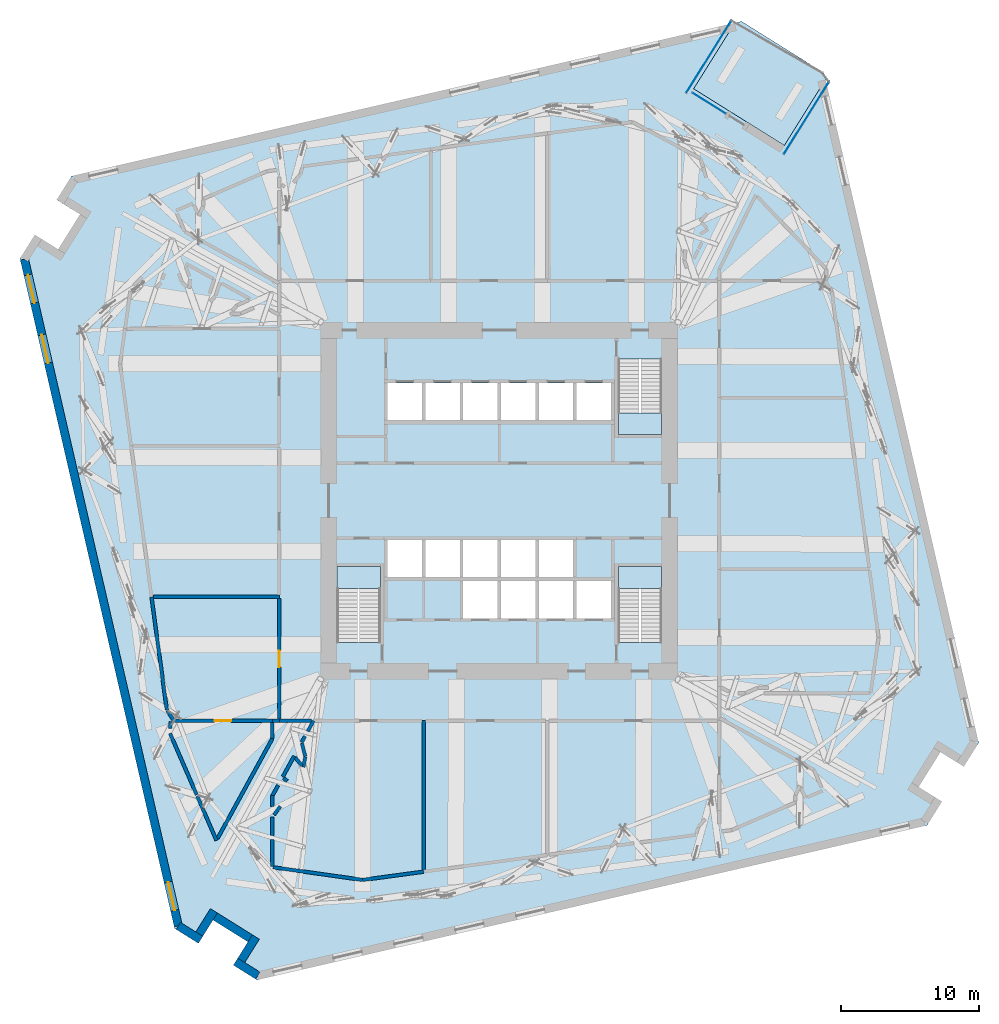
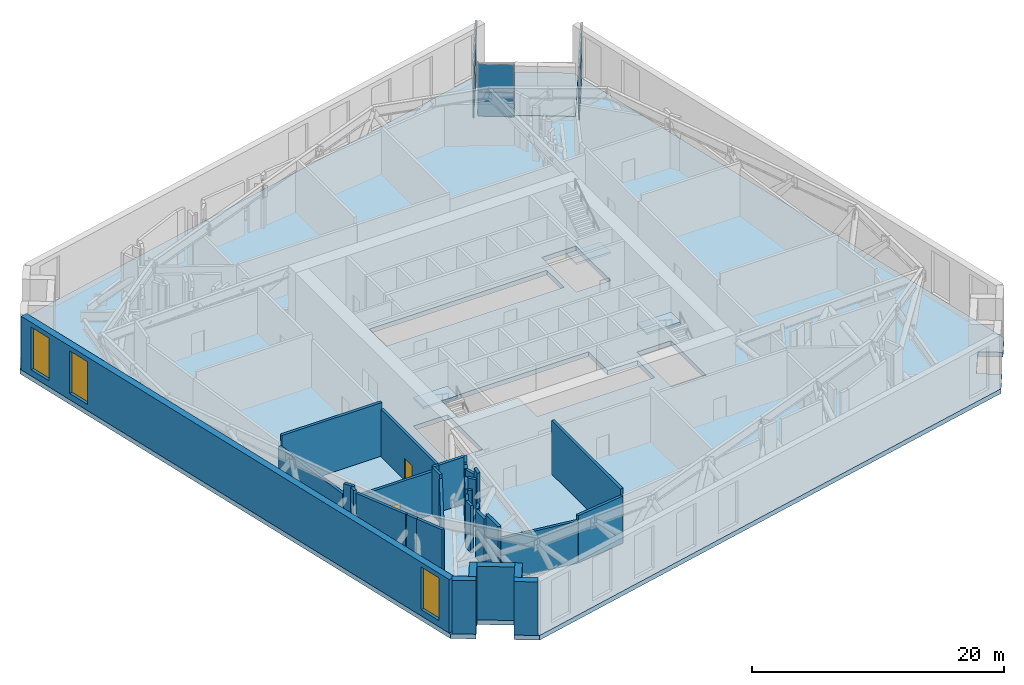
# One storey, part 7 of 17: 34 walls, 6 plates, 5 slabs, 3 windows, 2 doors, 5 openings, 6 elements without a shape of their own.
"""IFC4 building model written with IfcOpenShell, lengths in metres."""

from ifc_helpers import new_model, si_unit, direction, frame, frame_2d, origin, origin_2d, place, context, subcontext, project, spatial, polyline, rectangle, outline, extrude, material, layer, layer_set, type_object, element, fill, aggregate, save


model = new_model("IFC4")

# Units and contexts
model_context = context("Model", 3, precision=1e-05, world=origin(), true_north=direction((0.0, 1.0)))
body_context = subcontext(model_context, "Body", "Model", "MODEL_VIEW")
ifc_project = project(units=[si_unit("LENGTHUNIT", "METRE"), si_unit("AREAUNIT", "SQUARE_METRE"), si_unit("VOLUMEUNIT", "CUBIC_METRE"), si_unit("PLANEANGLEUNIT", "RADIAN"), si_unit("MASSUNIT", "GRAM", prefix="KILO")], contexts=[model_context])

# Site, building, storey
site_placement = place(None, origin())
site = spatial("IfcSite", under=ifc_project, at=site_placement, CompositionType="ELEMENT")
building_placement = place(site_placement, origin())
building = spatial("IfcBuilding", under=site, at=building_placement, Name="Dilmun Exchange Tower", CompositionType="ELEMENT")
storey_placement = place(building_placement, frame((0.0, 0.0, 76.5)))
storey = spatial("IfcBuildingStorey", under=building, at=storey_placement, Name="L17", CompositionType="ELEMENT", Elevation=76.5)

# Stair, slab
ifc_material_1 = material(Name="Concrete C40/50", Category="concrete")
stair_type = type_object("IfcStairType", Name="Exit stair 1500 half-turn", PredefinedType="HALF_TURN_STAIR", material=ifc_material_1)
stair_1_placement = place(storey_placement, origin())
stair_1 = element("IfcStair", 1, at=stair_1_placement, inside=storey, type_object=stair_type, Name="L17 Protected exit stair ST1", PredefinedType="HALF_TURN_STAIR")
ifc_layer_1 = layer(ifc_material_1, 0.199951171875)
ifc_layer_set_1 = layer_set([ifc_layer_1], Name="Concrete C40/50")
slab_type_1 = type_object("IfcSlabType", Name="Exit stair landing 200", PredefinedType="LANDING", material=ifc_layer_set_1)
slab_1_placement = place(storey_placement, frame((0.0, 0.0, 2.60009765625)))
slab_1 = element("IfcSlab", 2, at=slab_1_placement, type_object=slab_type_1, Name="ST1 landing 1", PredefinedType="LANDING", context=body_context, shape_type="SweptSolid", body=[
    extrude(outline(polyline([(8.64990234375, 6.3798828125), (8.64990234375, 4.800048828125), (11.800048828125, 4.800048828125), (11.800048828125, 6.3798828125), (8.64990234375, 6.3798828125)])), origin(), (0.0, 0.0, 1.0), 0.199951171875),
])
aggregate(stair_1, [slab_1])

stair_2_placement = place(storey_placement, origin())
stair_2 = element("IfcStair", 3, at=stair_2_placement, inside=storey, type_object=stair_type, Name="L17 Protected exit stair ST2", PredefinedType="HALF_TURN_STAIR")
slab_2_placement = place(storey_placement, frame((0.0, 0.0, 2.60009765625)))
slab_2 = element("IfcSlab", 4, at=slab_2_placement, type_object=slab_type_1, Name="ST2 landing 1", PredefinedType="LANDING", context=body_context, shape_type="SweptSolid", body=[
    extrude(outline(polyline([(-8.64990234375, -6.3798828125), (-8.64990234375, -4.800048828125), (-11.800048828125, -4.800048828125), (-11.800048828125, -6.3798828125), (-8.64990234375, -6.3798828125)])), origin(), (0.0, 0.0, 1.0), 0.199951171875),
])
aggregate(stair_2, [slab_2])

stair_3_placement = place(storey_placement, origin())
stair_3 = element("IfcStair", 5, at=stair_3_placement, inside=storey, type_object=stair_type, Name="L17 Protected exit stair ST3", PredefinedType="HALF_TURN_STAIR")
slab_3_placement = place(storey_placement, frame((0.0, 0.0, 2.60009765625)))
slab_3 = element("IfcSlab", 6, at=slab_3_placement, type_object=slab_type_1, Name="ST3 landing 1", PredefinedType="LANDING", context=body_context, shape_type="SweptSolid", body=[
    extrude(outline(polyline([(11.800048828125, -6.3798828125), (11.800048828125, -4.800048828125), (8.64990234375, -4.800048828125), (8.64990234375, -6.3798828125), (11.800048828125, -6.3798828125)])), origin(), (0.0, 0.0, 1.0), 0.199951171875),
])
aggregate(stair_3, [slab_3])

# Curtain wall, plates
ifc_material_2 = material(Name="Anodised aluminium and clear glass", Category="aluminium")
curtain_wall_type = type_object("IfcCurtainWallType", Name="Garden corner glazing", PredefinedType="NOTDEFINED", material=ifc_material_2)
curtain_wall_1_placement = place(storey_placement, origin())
curtain_wall_1 = element("IfcCurtainWall", 7, at=curtain_wall_1_placement, inside=storey, type_object=curtain_wall_type, Name="Garden corner glazing run GC1.1", PredefinedType="NOTDEFINED")
ifc_material_3 = material(Name="Clear glass", Category="glass")
ifc_layer_2 = layer(ifc_material_3, 0.028076171875)
ifc_layer_set_2 = layer_set([ifc_layer_2], Name="Clear glass")
plate_type = type_object("IfcPlateType", Name="Garden corner glazing glass panel 28", PredefinedType="CURTAIN_PANEL", material=ifc_layer_set_2)
plate_1_placement = place(storey_placement, frame((22.319091796875, 27.81298828125, 0.06005859375), z_axis=(0.0, 0.0, 1.0), x_axis=(-0.529916913426, -0.8480495651, 0.0)))
plate_1 = element("IfcPlate", 8, at=plate_1_placement, type_object=plate_type, Name="GC1.1 panel 1.1", PredefinedType="CURTAIN_PANEL", context=body_context, shape_type="SweptSolid", body=[
    extrude(rectangle(XDim=6.12646484375, YDim=0.028076171875, at=origin_2d()), origin(), (0.0, 0.0, 1.0), 2.31005859375),
])
plate_2_placement = place(storey_placement, frame((22.319091796875, 27.81298828125, 2.429931640625), z_axis=(0.0, 0.0, 1.0), x_axis=(-0.529916913426, -0.8480495651, 0.0)))
plate_2 = element("IfcPlate", 9, at=plate_2_placement, type_object=plate_type, Name="GC1.1 panel 1.2", PredefinedType="CURTAIN_PANEL", context=body_context, shape_type="SweptSolid", body=[
    extrude(rectangle(XDim=6.12646484375, YDim=0.028076171875, at=origin_2d()), origin(), (0.0, 0.0, 1.0), 2.68994140625),
])
aggregate(curtain_wall_1, [plate_1, plate_2])

curtain_wall_2_placement = place(storey_placement, origin())
curtain_wall_2 = element("IfcCurtainWall", 10, at=curtain_wall_2_placement, inside=storey, type_object=curtain_wall_type, Name="Garden corner glazing run GC2.3", PredefinedType="NOTDEFINED")
plate_3_placement = place(storey_placement, frame((15.23974609375, 28.907470703125, 0.06005859375), z_axis=(0.0, 0.0, 1.0), x_axis=(-0.848060322207, 0.529899697959, 0.0)))
plate_3 = element("IfcPlate", 11, at=plate_3_placement, type_object=plate_type, Name="GC2.3 panel 1.1", PredefinedType="CURTAIN_PANEL", context=body_context, shape_type="SweptSolid", body=[
    extrude(rectangle(XDim=2.869140625, YDim=0.028076171875, at=origin_2d()), origin(), (0.0, 0.0, 1.0), 2.31005859375),
])
plate_4_placement = place(storey_placement, frame((15.23974609375, 28.907470703125, 2.429931640625), z_axis=(0.0, 0.0, 1.0), x_axis=(-0.848060322207, 0.529899697959, 0.0)))
plate_4 = element("IfcPlate", 12, at=plate_4_placement, type_object=plate_type, Name="GC2.3 panel 1.2", PredefinedType="CURTAIN_PANEL", context=body_context, shape_type="SweptSolid", body=[
    extrude(rectangle(XDim=2.869140625, YDim=0.028076171875, at=origin_2d()), origin(), (0.0, 0.0, 1.0), 2.68994140625),
])
aggregate(curtain_wall_2, [plate_3, plate_4])

curtain_wall_3_placement = place(storey_placement, origin())
curtain_wall_3 = element("IfcCurtainWall", 13, at=curtain_wall_3_placement, inside=storey, type_object=curtain_wall_type, Name="Garden corner glazing run GC3.1", PredefinedType="NOTDEFINED")
plate_5_placement = place(storey_placement, frame((15.214111328125, 32.252685546875, 0.06005859375), z_axis=(0.0, 0.0, 1.0), x_axis=(0.529916913426, 0.8480495651, 0.0)))
plate_5 = element("IfcPlate", 14, at=plate_5_placement, type_object=plate_type, Name="GC3.1 panel 1.1", PredefinedType="CURTAIN_PANEL", context=body_context, shape_type="SweptSolid", body=[
    extrude(rectangle(XDim=6.12646484375, YDim=0.028076171875, at=origin_2d()), origin(), (0.0, 0.0, 1.0), 2.31005859375),
])
plate_6_placement = place(storey_placement, frame((15.214111328125, 32.252685546875, 2.429931640625), z_axis=(0.0, 0.0, 1.0), x_axis=(0.529916913426, 0.8480495651, 0.0)))
plate_6 = element("IfcPlate", 15, at=plate_6_placement, type_object=plate_type, Name="GC3.1 panel 1.2", PredefinedType="CURTAIN_PANEL", context=body_context, shape_type="SweptSolid", body=[
    extrude(rectangle(XDim=6.12646484375, YDim=0.028076171875, at=origin_2d()), origin(), (0.0, 0.0, 1.0), 2.68994140625),
])
aggregate(curtain_wall_3, [plate_5, plate_6])

# Slabs
ifc_layer_3 = layer(ifc_material_1, 0.449951171875)
ifc_layer_set_3 = layer_set([ifc_layer_3], Name="Concrete C40/50")
slab_type_2 = type_object("IfcSlabType", Name="RC floor slab 450", PredefinedType="FLOOR", material=ifc_layer_set_3)
slab_4_placement = place(storey_placement, frame((0.0, 0.0, -0.449951171875)))
element("IfcSlab", 16, at=slab_4_placement, inside=storey, type_object=slab_type_2, Name="Floor slab", PredefinedType="FLOOR", context=body_context, shape_type="SweptSolid", body=[
    extrude(outline(polyline([(33.776123046875, -19.3369140625), (32.080078125, -18.277099609375), (30.490478515625, -20.8212890625), (32.1865234375, -21.881103515625), (31.10791015625, -23.607421875), (-17.610595703125, -34.85498046875), (-19.3369140625, -33.776123046875), (-18.277099609375, -32.080078125), (-20.8212890625, -30.490478515625), (-21.881103515625, -32.1865234375), (-23.607421875, -31.10791015625), (-34.85498046875, 17.610595703125), (-33.776123046875, 19.3369140625), (-32.080078125, 18.277099609375), (-30.490478515625, 20.8212890625), (-32.1865234375, 21.881103515625), (-31.10791015625, 23.607421875), (17.12353515625, 34.742431640625), (14.13134765625, 29.953857421875), (20.7275390625, 25.83203125), (23.7197265625, 30.62060546875), (34.85498046875, -17.610595703125), (33.776123046875, -19.3369140625)]), holes=[polyline([(-8.64990234375, -4.800048828125), (-11.800048828125, -4.800048828125), (-11.800048828125, -10.294921875), (-8.64990234375, -10.294921875), (-8.64990234375, -4.800048828125)]), polyline([(11.800048828125, -4.800048828125), (8.64990234375, -4.800048828125), (8.64990234375, -10.294921875), (11.800048828125, -10.294921875), (11.800048828125, -4.800048828125)]), polyline([(-8.125, -2.85009765625), (-8.125, -5.550048828125), (-2.625, -5.550048828125), (-2.625, -8.550048828125), (8.125, -8.550048828125), (8.125, -5.85009765625), (5.375, -5.85009765625), (5.375, -2.85009765625), (-8.125, -2.85009765625)]), polyline([(-8.125, 5.85009765625), (8.125, 5.85009765625), (8.125, 8.550048828125), (-8.125, 8.550048828125), (-8.125, 5.85009765625)]), polyline([(8.64990234375, 10.294921875), (8.64990234375, 4.800048828125), (11.800048828125, 4.800048828125), (11.800048828125, 10.294921875), (8.64990234375, 10.294921875)])]), origin(), (0.0, 0.0, 1.0), 0.449951171875),
])
ifc_layer_4 = layer(ifc_material_1, 0.300048828125)
ifc_layer_set_4 = layer_set([ifc_layer_4], Name="Concrete C40/50")
slab_type_3 = type_object("IfcSlabType", Name="RC garden terrace slab 300", PredefinedType="FLOOR", material=ifc_layer_set_4)
slab_5_placement = place(storey_placement, frame((0.0, 0.0, -0.300048828125)))
element("IfcSlab", 17, at=slab_5_placement, inside=storey, type_object=slab_type_3, Name="Garden terrace slab", PredefinedType="FLOOR", context=body_context, shape_type="SweptSolid", body=[
    extrude(outline(polyline([(14.13134765625, 29.953857421875), (17.12353515625, 34.742431640625), (17.610595703125, 34.85498046875), (23.607421875, 31.10791015625), (23.7197265625, 30.62060546875), (20.7275390625, 25.83203125), (14.13134765625, 29.953857421875)])), origin(), (0.0, 0.0, 1.0), 0.300048828125),
])

# Walls
ifc_material_4 = material(Name="Concrete C32/40", Category="concrete")
ifc_layer_5 = layer(ifc_material_4, 0.25)
ifc_layer_set_5 = layer_set([ifc_layer_5], Name="Concrete C32/40")
wall_type_1 = type_object("IfcWallType", Name="Plant room wall 250", PredefinedType="PARTITIONING", material=ifc_layer_set_5)
wall_1_placement = place(storey_placement, frame((-16.46484375, -26.655029296875, 0.0), z_axis=(0.0, 0.0, 1.0), x_axis=(0.990129482874, -0.140155653273, 0.0)))
element("IfcWall", 18, at=wall_1_placement, inside=storey, type_object=wall_type_1, Name="L17 plant room wall 01", PredefinedType="PARTITIONING", context=body_context, shape_type="SweptSolid", body=[
    extrude(rectangle(XDim=6.589599609375, YDim=0.25, at=frame_2d((3.294921875, 0.0))), origin(), (0.0, 0.0, 1.0), 4.06005859375),
])
wall_2_placement = place(storey_placement, frame((-9.93505859375, -27.577880859375, 0.0), z_axis=(0.0, 0.0, 1.0), x_axis=(0.991013159692, 0.133764409753, 0.0)))
element("IfcWall", 19, at=wall_2_placement, inside=storey, type_object=wall_type_1, Name="L17 plant room wall 02", PredefinedType="PARTITIONING", context=body_context, shape_type="SweptSolid", body=[
    extrude(rectangle(XDim=4.475341796875, YDim=0.25, at=frame_2d((2.23779296875, 0.0))), origin(), (0.0, 0.0, 1.0), 4.56005859375),
])
wall_3_placement = place(storey_placement, frame((-5.5, -26.94189453125, 0.0), z_axis=(0.0, 0.0, 1.0), x_axis=(0.0, 1.0, 0.0)))
element("IfcWall", 20, at=wall_3_placement, inside=storey, type_object=wall_type_1, Name="L17 plant room wall 03", PredefinedType="PARTITIONING", context=body_context, shape_type="SweptSolid", body=[
    extrude(rectangle(XDim=10.94189453125, YDim=0.25, at=frame_2d((5.470947265625, 0.0))), origin(), (0.0, 0.0, 1.0), 5.179931640625),
])
wall_4_placement = place(storey_placement, frame((-16.5, -26.61328125, 0.0), z_axis=(0.0, 0.0, 1.0), x_axis=(0.0, 1.0, 0.0)))
element("IfcWall", 21, at=wall_4_placement, inside=storey, type_object=wall_type_1, Name="L17 plant room wall 04", PredefinedType="PARTITIONING", context=body_context, shape_type="SweptSolid", body=[
    extrude(rectangle(XDim=1.977783203125, YDim=0.25, at=frame_2d((0.98876953125, 0.0))), origin(), (0.0, 0.0, 1.0), 5.179931640625),
])
wall_5_placement = place(storey_placement, frame((-21.57470703125, -22.38671875, 0.0), z_axis=(0.0, 0.0, 1.0), x_axis=(0.397843188521, -0.917453430615, 0.0)))
element("IfcWall", 22, at=wall_5_placement, inside=storey, type_object=wall_type_1, Name="L17 plant room wall 10", PredefinedType="PARTITIONING", context=body_context, shape_type="SweptSolid", body=[
    extrude(rectangle(XDim=2.5283203125, YDim=0.25, at=frame_2d((1.26416015625, 0.0))), origin(), (0.0, 0.0, 1.0), 5.179931640625),
])
wall_6_placement = place(storey_placement, frame((-16.5, -24.364501953125, 0.0), z_axis=(0.0, 0.0, 1.0), x_axis=(0.0, 1.0, 0.0)))
element("IfcWall", 23, at=wall_6_placement, inside=storey, type_object=wall_type_1, Name="L17 plant room wall 11", PredefinedType="PARTITIONING", context=body_context, shape_type="SweptSolid", body=[
    extrude(rectangle(XDim=1.37158203125, YDim=0.25, at=frame_2d((0.685791015625, 0.0))), origin(), (0.0, 0.0, 1.0), 4.56005859375),
])
wall_7_placement = place(storey_placement, frame((-16.382568359375, -22.83837890625, 0.0), z_axis=(0.0, 0.0, 1.0), x_axis=(0.605473287188, 0.795865628421, 0.0)))
element("IfcWall", 24, at=wall_7_placement, inside=storey, type_object=wall_type_1, Name="L17 plant room wall 17", PredefinedType="PARTITIONING", context=body_context, shape_type="SweptSolid", body=[
    extrude(rectangle(XDim=0.76171875, YDim=0.25, at=frame_2d((0.380859375, 0.0))), origin(), (0.0, 0.0, 1.0), 4.56005859375),
])
wall_8_placement = place(storey_placement, frame((-21.965576171875, -21.48486328125, 0.0), z_axis=(0.0, 0.0, 1.0), x_axis=(0.397728990261, -0.917502942941, 0.0)))
element("IfcWall", 25, at=wall_8_placement, inside=storey, type_object=wall_type_1, Name="L17 plant room wall 19", PredefinedType="PARTITIONING", context=body_context, shape_type="SweptSolid", body=[
    extrude(rectangle(XDim=0.958251953125, YDim=0.25, at=frame_2d((0.47900390625, 0.0))), origin(), (0.0, 0.0, 1.0), 5.179931640625),
])
wall_9_placement = place(storey_placement, frame((-16.5, -22.24951171875, 0.0), z_axis=(0.0, 0.0, 1.0), x_axis=(0.0, 1.0, 0.0)))
element("IfcWall", 26, at=wall_9_placement, inside=storey, type_object=wall_type_1, Name="L17 plant room wall 20", PredefinedType="PARTITIONING", context=body_context, shape_type="SweptSolid", body=[
    extrude(rectangle(XDim=0.7978515625, YDim=0.25, at=frame_2d((0.39892578125, 0.0))), origin(), (0.0, 0.0, 1.0), 4.56005859375),
])
wall_10_placement = place(storey_placement, frame((-16.497314453125, -21.44677734375, 0.0), z_axis=(0.0, 0.0, 1.0), x_axis=(0.481388785927, 0.87650718011, 0.0)))
element("IfcWall", 27, at=wall_10_placement, inside=storey, type_object=wall_type_1, Name="L17 plant room wall 23", PredefinedType="PARTITIONING", context=body_context, shape_type="SweptSolid", body=[
    extrude(rectangle(XDim=0.848876953125, YDim=0.25, at=frame_2d((0.42431640625, 0.0))), origin(), (0.0, 0.0, 1.0), 4.56005859375),
])
wall_11_placement = place(storey_placement, frame((-23.944580078125, -16.92041015625, 0.0), z_axis=(0.0, 0.0, 1.0), x_axis=(0.397805453774, -0.917469792935, 0.0)))
element("IfcWall", 28, at=wall_11_placement, inside=storey, type_object=wall_type_1, Name="L17 plant room wall 25", PredefinedType="PARTITIONING", context=body_context, shape_type="SweptSolid", body=[
    extrude(rectangle(XDim=4.87841796875, YDim=0.25, at=frame_2d((2.439208984375, 0.0))), origin(), (0.0, 0.0, 1.0), 5.179931640625),
])
wall_12_placement = place(storey_placement, frame((-15.674072265625, -20.17041015625, 0.0), z_axis=(0.0, 0.0, 1.0), x_axis=(0.752576694707, -0.658504607869, 0.0)))
element("IfcWall", 29, at=wall_12_placement, inside=storey, type_object=wall_type_1, Name="L17 plant room wall 28", PredefinedType="PARTITIONING", context=body_context, shape_type="SweptSolid", body=[
    extrude(rectangle(XDim=0.33740234375, YDim=0.25, at=frame_2d((0.168701171875, 0.0))), origin(), (0.0, 0.0, 1.0), 4.56005859375),
])
wall_13_placement = place(storey_placement, frame((-15.74560546875, -20.07763671875, 0.0), z_axis=(0.0, 0.0, 1.0), x_axis=(0.481372431238, 0.876516162112, 0.0)))
element("IfcWall", 30, at=wall_13_placement, inside=storey, type_object=wall_type_1, Name="L17 plant room wall 29", PredefinedType="PARTITIONING", context=body_context, shape_type="SweptSolid", body=[
    extrude(rectangle(XDim=1.7158203125, YDim=0.25, at=frame_2d((0.85791015625, 0.0))), origin(), (0.0, 0.0, 1.0), 4.56005859375),
])
wall_14_placement = place(storey_placement, frame((-14.246826171875, -19.37548828125, 0.0), z_axis=(0.0, 0.0, 1.0), x_axis=(0.183340179713, 0.983049530035, 0.0)))
element("IfcWall", 31, at=wall_14_placement, inside=storey, type_object=wall_type_1, Name="L17 plant room wall 31", PredefinedType="PARTITIONING", context=body_context, shape_type="SweptSolid", body=[
    extrude(rectangle(XDim=0.76171875, YDim=0.25, at=frame_2d((0.380859375, 0.0))), origin(), (0.0, 0.0, 1.0), 5.179931640625),
])
wall_15_placement = place(storey_placement, frame((-14.351806640625, -17.650146484375, 0.0), z_axis=(0.0, 0.0, 1.0), x_axis=(0.249107932403, -0.968475729182, 0.0)))
element("IfcWall", 32, at=wall_15_placement, inside=storey, type_object=wall_type_1, Name="L17 plant room wall 32", PredefinedType="PARTITIONING", context=body_context, shape_type="SweptSolid", body=[
    extrude(rectangle(XDim=0.97802734375, YDim=0.25, at=frame_2d((0.489013671875, 0.0))), origin(), (0.0, 0.0, 1.0), 4.56005859375),
])
wall_16_placement = place(storey_placement, frame((-14.830810546875, -18.681884765625, 0.0), z_axis=(0.0, 0.0, 1.0), x_axis=(0.635179194616, -0.772364804174, 0.0)))
element("IfcWall", 33, at=wall_16_placement, inside=storey, type_object=wall_type_1, Name="L17 plant room wall 33", PredefinedType="PARTITIONING", context=body_context, shape_type="SweptSolid", body=[
    extrude(rectangle(XDim=0.74560546875, YDim=0.25, at=frame_2d((0.372802734375, 0.0))), origin(), (0.0, 0.0, 1.0), 4.56005859375),
])
wall_17_placement = place(storey_placement, frame((-14.3662109375, -17.565673828125, 0.0), z_axis=(0.0, 0.0, 1.0), x_axis=(0.481193101947, 0.876614623788, 0.0)))
element("IfcWall", 34, at=wall_17_placement, inside=storey, type_object=wall_type_1, Name="L17 plant room wall 34", PredefinedType="PARTITIONING", context=body_context, shape_type="SweptSolid", body=[
    extrude(rectangle(XDim=0.50390625, YDim=0.25, at=frame_2d((0.251953125, 0.0))), origin(), (0.0, 0.0, 1.0), 4.56005859375),
])
wall_18_placement = place(storey_placement, frame((-20.489501953125, -24.56201171875, 0.0), z_axis=(0.0, 0.0, 1.0), x_axis=(0.481308069685, 0.876551505649, 0.0)))
element("IfcWall", 35, at=wall_18_placement, inside=storey, type_object=wall_type_1, Name="L17 plant room wall 35", PredefinedType="PARTITIONING", context=body_context, shape_type="SweptSolid", body=[
    extrude(rectangle(XDim=8.288818359375, YDim=0.25, at=frame_2d((4.14453125, 0.0))), origin(), (0.0, 0.0, 1.0), 4.152099609375),
])
wall_19_placement = place(storey_placement, frame((-13.93310546875, -16.77685546875, 0.0), z_axis=(0.0, 0.0, 1.0), x_axis=(0.481262962693, 0.876576272061, 0.0)))
element("IfcWall", 36, at=wall_19_placement, inside=storey, type_object=wall_type_1, Name="L17 plant room wall 36", PredefinedType="PARTITIONING", context=body_context, shape_type="SweptSolid", body=[
    extrude(rectangle(XDim=0.88623046875, YDim=0.25, at=frame_2d((0.443115234375, 0.0))), origin(), (0.0, 0.0, 1.0), 4.56005859375),
])
wall_20_placement = place(storey_placement, frame((-23.9287109375, -16.555908203125, 0.0), z_axis=(0.0, 0.0, 1.0), x_axis=(0.043395375448, 0.999057976991, 0.0)))
element("IfcWall", 37, at=wall_20_placement, inside=storey, type_object=wall_type_1, Name="L17 plant room wall 37", PredefinedType="PARTITIONING", context=body_context, shape_type="SweptSolid", body=[
    extrude(rectangle(XDim=0.50634765625, YDim=0.25, at=frame_2d((0.253173828125, 0.0))), origin(), (0.0, 0.0, 1.0), 5.179931640625),
])
wall_21_placement = place(storey_placement, frame((-24.1552734375, -15.24853515625, 0.0), z_axis=(0.0, 0.0, 1.0), x_axis=(0.539069226366, -0.842261461297, 0.0)))
element("IfcWall", 38, at=wall_21_placement, inside=storey, type_object=wall_type_1, Name="L17 plant room wall 38", PredefinedType="PARTITIONING", context=body_context, shape_type="SweptSolid", body=[
    extrude(rectangle(XDim=0.89208984375, YDim=0.25, at=frame_2d((0.446044921875, 0.0))), origin(), (0.0, 0.0, 1.0), 5.179931640625),
])

# Wall, opening, door
wall_22_placement = place(storey_placement, frame((-23.6650390625, -16.0, 0.0), z_axis=(0.0, 0.0, 1.0), x_axis=(1.0, 0.0, 0.0)))
wall_22 = element("IfcWall", 39, at=wall_22_placement, inside=storey, type_object=wall_type_1, Name="L17 plant room wall 39", PredefinedType="PARTITIONING", context=body_context, shape_type="SweptSolid", body=[
    extrude(rectangle(XDim=7.1650390625, YDim=0.25, at=frame_2d((3.58251953125, 0.0))), origin(), (0.0, 0.0, 1.0), 4.152099609375),
])
opening_1_placement = place(wall_22_placement, frame((2.959716796875, 0.0, 0.0)))
opening_1 = element("IfcOpeningElement", 40, at=opening_1_placement, cuts=wall_22, Name="Opening PD2", PredefinedType="OPENING", context=body_context, shape_type="SweptSolid", body=[
    extrude(rectangle(XDim=1.199951171875, YDim=2.10009765625, at=frame_2d((0.60009765625, 1.050048828125))), frame((0.0, 0.135009765625, 0.0), z_axis=(0.0, -1.0, 0.0), x_axis=(1.0, 0.0, 0.0)), (0.0, 0.0, 1.0), 0.27001953125),
])
ifc_material_5 = material(Name="Fire-rated steel door set", Category="steel")
door_type = type_object("IfcDoorType", Name="Plant room door 1200x2100", OperationType="SINGLE_SWING_LEFT", PredefinedType="DOOR", material=ifc_material_5)
door_1_placement = place(opening_1_placement, origin())
door_1 = element("IfcDoor", 41, at=door_1_placement, inside=storey, type_object=door_type, Name="L17 door Battery plant room", OperationType="SINGLE_SWING_RIGHT", OverallHeight=2.10009765625, OverallWidth=1.199951171875, PredefinedType="DOOR", context=body_context, shape_type="SweptSolid", body=[
    extrude(rectangle(XDim=1.199951171875, YDim=2.10009765625, at=frame_2d((0.60009765625, 1.050048828125))), frame((0.0, 0.02490234375, 0.0), z_axis=(0.0, -1.0, 0.0), x_axis=(1.0, 0.0, 0.0)), (0.0, 0.0, 1.0), 0.050048828125),
])
fill(opening_1, door_1)

# Walls
wall_23_placement = place(storey_placement, frame((-16.5, -17.290771484375, 0.0), z_axis=(0.0, 0.0, 1.0), x_axis=(0.0, 1.0, 0.0)))
element("IfcWall", 42, at=wall_23_placement, inside=storey, type_object=wall_type_1, Name="L17 plant room wall 40", PredefinedType="PARTITIONING", context=body_context, shape_type="SweptSolid", body=[
    extrude(rectangle(XDim=1.160888671875, YDim=0.25, at=frame_2d((0.58056640625, 0.0))), origin(), (0.0, 0.0, 1.0), 4.56005859375),
])
wall_24_placement = place(storey_placement, frame((-16.4951171875, -16.0, 0.0), z_axis=(0.0, 0.0, 1.0), x_axis=(1.0, 0.0, 0.0)))
element("IfcWall", 43, at=wall_24_placement, inside=storey, type_object=wall_type_1, Name="L17 plant room wall 41", PredefinedType="PARTITIONING", context=body_context, shape_type="SweptSolid", body=[
    extrude(rectangle(XDim=0.4951171875, YDim=0.25, at=frame_2d((0.24755859375, 0.0))), origin(), (0.0, 0.0, 1.0), 4.56005859375),
])
wall_25_placement = place(storey_placement, frame((-15.9951171875, -16.0, 0.0), z_axis=(0.0, 0.0, 1.0), x_axis=(1.0, 0.0, 0.0)))
element("IfcWall", 44, at=wall_25_placement, inside=storey, type_object=wall_type_1, Name="L17 plant room wall 42", PredefinedType="PARTITIONING", context=body_context, shape_type="SweptSolid", body=[
    extrude(rectangle(XDim=2.34033203125, YDim=0.25, at=frame_2d((1.170166015625, 0.0))), origin(), (0.0, 0.0, 1.0), 4.56005859375),
])
wall_26_placement = place(storey_placement, frame((-25.291015625, -7.0, 0.0), z_axis=(0.0, 0.0, 1.0), x_axis=(0.133909288136, -0.990993593597, 0.0)))
element("IfcWall", 45, at=wall_26_placement, inside=storey, type_object=wall_type_1, Name="L17 plant room wall 48", PredefinedType="PARTITIONING", context=body_context, shape_type="SweptSolid", body=[
    extrude(rectangle(XDim=8.28076171875, YDim=0.25, at=frame_2d((4.140380859375, 0.0))), origin(), (0.0, 0.0, 1.0), 4.152099609375),
])
wall_27_placement = place(storey_placement, frame((-25.159912109375, -7.0, 0.0), z_axis=(0.0, 0.0, 1.0), x_axis=(1.0, 0.0, 0.0)))
element("IfcWall", 46, at=wall_27_placement, inside=storey, type_object=wall_type_1, Name="L17 plant room wall 57", PredefinedType="PARTITIONING", context=body_context, shape_type="SweptSolid", body=[
    extrude(rectangle(XDim=9.159912109375, YDim=0.25, at=frame_2d((4.580078125, 0.0))), origin(), (0.0, 0.0, 1.0), 5.179931640625),
])

# Wall, opening, door
wall_28_placement = place(storey_placement, frame((-16.0, -15.8701171875, 0.0), z_axis=(0.0, 0.0, 1.0), x_axis=(0.0, 1.0, 0.0)))
wall_28 = element("IfcWall", 47, at=wall_28_placement, inside=storey, type_object=wall_type_1, Name="L17 plant room wall 58", PredefinedType="PARTITIONING", context=body_context, shape_type="SweptSolid", body=[
    extrude(rectangle(XDim=8.740234375, YDim=0.25, at=frame_2d((4.3701171875, 0.0))), origin(), (0.0, 0.0, 1.0), 4.56005859375),
])
opening_2_placement = place(wall_28_placement, frame((3.77001953125, 0.0, 0.0)))
opening_2 = element("IfcOpeningElement", 48, at=opening_2_placement, cuts=wall_28, Name="Opening PD2", PredefinedType="OPENING", context=body_context, shape_type="SweptSolid", body=[
    extrude(rectangle(XDim=1.199951171875, YDim=2.10009765625, at=frame_2d((0.60009765625, 1.050048828125))), frame((0.0, 0.135009765625, 0.0), z_axis=(0.0, -1.0, 0.0), x_axis=(1.0, 0.0, 0.0)), (0.0, 0.0, 1.0), 0.27001953125),
])
door_2_placement = place(opening_2_placement, origin())
door_2 = element("IfcDoor", 49, at=door_2_placement, inside=storey, type_object=door_type, Name="L17 door Refuge area", OperationType="SINGLE_SWING_LEFT", OverallHeight=2.10009765625, OverallWidth=1.199951171875, PredefinedType="DOOR", context=body_context, shape_type="SweptSolid", body=[
    extrude(rectangle(XDim=1.199951171875, YDim=2.10009765625, at=frame_2d((0.60009765625, 1.050048828125))), frame((0.0, 0.02490234375, 0.0), z_axis=(0.0, -1.0, 0.0), x_axis=(1.0, 0.0, 0.0)), (0.0, 0.0, 1.0), 0.050048828125),
])
fill(opening_2, door_2)

# Wall, openings, windows
ifc_material_6 = material(Name="Precast concrete C50/60", Category="concrete")
ifc_layer_6 = layer(ifc_material_6, 0.60009765625)
ifc_layer_set_6 = layer_set([ifc_layer_6], Name="Precast concrete C50/60")
wall_type_2 = type_object("IfcWallType", Name="Precast stone-clad wall 600", PredefinedType="STANDARD", material=ifc_layer_set_6)
wall_29_placement = place(storey_placement, frame((-34.53466796875, 17.55712890625, 0.0), z_axis=(0.0, 0.0, 1.0), x_axis=(0.224951253923, -0.974370018709, 0.0)))
wall_29 = element("IfcWall", 50, at=wall_29_placement, inside=storey, type_object=wall_type_2, Name="Facade wall L17-09", PredefinedType="STANDARD", context=body_context, shape_type="SweptSolid", body=[
    extrude(rectangle(XDim=49.75146484375, YDim=0.60009765625, at=frame_2d((24.875732421875, 0.0))), origin(), (0.0, 0.0, 1.0), 5.179931640625),
])
opening_3_placement = place(wall_29_placement, frame((1.16064453125, 0.0, 0.60009765625)))
opening_3 = element("IfcOpeningElement", 51, at=opening_3_placement, cuts=wall_29, Name="Opening LV210-413", PredefinedType="OPENING", context=body_context, shape_type="SweptSolid", body=[
    extrude(rectangle(XDim=2.10009765625, YDim=4.1298828125, at=frame_2d((1.050048828125, 2.06494140625))), frame((0.0, 0.31005859375, 0.0), z_axis=(0.0, -1.0, 0.0), x_axis=(1.0, 0.0, 0.0)), (0.0, 0.0, 1.0), 0.6201171875),
])
opening_4_placement = place(wall_29_placement, frame((5.643798828125, 0.0, 0.60009765625)))
opening_4 = element("IfcOpeningElement", 52, at=opening_4_placement, cuts=wall_29, Name="Opening LV210-413", PredefinedType="OPENING", context=body_context, shape_type="SweptSolid", body=[
    extrude(rectangle(XDim=2.10009765625, YDim=4.1298828125, at=frame_2d((1.050048828125, 2.06494140625))), frame((0.0, 0.31005859375, 0.0), z_axis=(0.0, -1.0, 0.0), x_axis=(1.0, 0.0, 0.0)), (0.0, 0.0, 1.0), 0.6201171875),
])
opening_5_placement = place(wall_29_placement, frame((46.490966796875, 0.0, 0.60009765625)))
opening_5 = element("IfcOpeningElement", 53, at=opening_5_placement, cuts=wall_29, Name="Opening LV210-413", PredefinedType="OPENING", context=body_context, shape_type="SweptSolid", body=[
    extrude(rectangle(XDim=2.10009765625, YDim=4.1298828125, at=frame_2d((1.050048828125, 2.06494140625))), frame((0.0, 0.31005859375, 0.0), z_axis=(0.0, -1.0, 0.0), x_axis=(1.0, 0.0, 0.0)), (0.0, 0.0, 1.0), 0.6201171875),
])
ifc_material_7 = material(Name="Anodised aluminium louvre blades with sand trap", Category="aluminium")
window_type = type_object("IfcWindowType", Name="Plant louvre 2100 x 4130", PartitioningType="SINGLE_PANEL", PredefinedType="USERDEFINED", material=ifc_material_7)
window_1_placement = place(opening_3_placement, origin())
window_1 = element("IfcWindow", 54, at=window_1_placement, inside=storey, type_object=window_type, Name="Plant louvre 10.1", ObjectType="LOUVRE", OverallHeight=4.1298828125, OverallWidth=2.10009765625, PartitioningType="SINGLE_PANEL", PredefinedType="USERDEFINED", context=body_context, shape_type="SweptSolid", body=[
    extrude(rectangle(XDim=2.10009765625, YDim=4.1298828125, at=frame_2d((1.050048828125, 2.06494140625))), frame((0.0, 0.030029296875, 0.0), z_axis=(0.0, -1.0, 0.0), x_axis=(1.0, 0.0, 0.0)), (0.0, 0.0, 1.0), 0.06005859375),
])
fill(opening_3, window_1)
window_2_placement = place(opening_4_placement, origin())
window_2 = element("IfcWindow", 55, at=window_2_placement, inside=storey, type_object=window_type, Name="Plant louvre 10.2", ObjectType="LOUVRE", OverallHeight=4.1298828125, OverallWidth=2.10009765625, PartitioningType="SINGLE_PANEL", PredefinedType="USERDEFINED", context=body_context, shape_type="SweptSolid", body=[
    extrude(rectangle(XDim=2.10009765625, YDim=4.1298828125, at=frame_2d((1.050048828125, 2.06494140625))), frame((0.0, 0.030029296875, 0.0), z_axis=(0.0, -1.0, 0.0), x_axis=(1.0, 0.0, 0.0)), (0.0, 0.0, 1.0), 0.06005859375),
])
fill(opening_4, window_2)
window_3_placement = place(opening_5_placement, origin())
window_3 = element("IfcWindow", 56, at=window_3_placement, inside=storey, type_object=window_type, Name="Plant louvre 10.11", ObjectType="LOUVRE", OverallHeight=4.1298828125, OverallWidth=2.10009765625, PartitioningType="SINGLE_PANEL", PredefinedType="USERDEFINED", context=body_context, shape_type="SweptSolid", body=[
    extrude(rectangle(XDim=2.10009765625, YDim=4.1298828125, at=frame_2d((1.050048828125, 2.06494140625))), frame((0.0, 0.030029296875, 0.0), z_axis=(0.0, -1.0, 0.0), x_axis=(1.0, 0.0, 0.0)), (0.0, 0.0, 1.0), 0.06005859375),
])
fill(opening_5, window_3)

# Walls
wall_30_placement = place(storey_placement, frame((-23.343017578125, -30.919189453125, 0.0), z_axis=(0.0, 0.0, 1.0), x_axis=(0.848077236107, -0.529872627711, 0.0)))
element("IfcWall", 57, at=wall_30_placement, inside=storey, type_object=wall_type_2, Name="Facade wall L17-10", PredefinedType="STANDARD", context=body_context, shape_type="SweptSolid", body=[
    extrude(rectangle(XDim=1.9111328125, YDim=0.60009765625, at=frame_2d((0.95556640625, 0.0))), origin(), (0.0, 0.0, 1.0), 5.179931640625),
])
wall_31_placement = place(storey_placement, frame((-21.817626953125, -31.5185546875, 0.0), z_axis=(0.0, 0.0, 1.0), x_axis=(0.529922127383, 0.848046307055, 0.0)))
element("IfcWall", 58, at=wall_31_placement, inside=storey, type_object=wall_type_2, Name="Facade wall L17-11", PredefinedType="STANDARD", context=body_context, shape_type="SweptSolid", body=[
    extrude(rectangle(XDim=2.0, YDim=0.60009765625, at=frame_2d((1.0, 0.0))), origin(), (0.0, 0.0, 1.0), 5.179931640625),
])
wall_32_placement = place(storey_placement, frame((-20.662353515625, -30.23583984375, 0.0), z_axis=(0.0, 0.0, 1.0), x_axis=(0.848039447596, -0.529933104572, 0.0)))
element("IfcWall", 59, at=wall_32_placement, inside=storey, type_object=wall_type_2, Name="Facade wall L17-12", PredefinedType="STANDARD", context=body_context, shape_type="SweptSolid", body=[
    extrude(rectangle(XDim=3.0, YDim=0.60009765625, at=frame_2d((1.5, 0.0))), origin(), (0.0, 0.0, 1.0), 5.179931640625),
])
wall_33_placement = place(storey_placement, frame((-17.70458984375, -31.730224609375, 0.0), z_axis=(0.0, 0.0, 1.0), x_axis=(-0.529955054992, -0.848025730558, 0.0)))
element("IfcWall", 60, at=wall_33_placement, inside=storey, type_object=wall_type_2, Name="Facade wall L17-13", PredefinedType="STANDARD", context=body_context, shape_type="SweptSolid", body=[
    extrude(rectangle(XDim=2.000244140625, YDim=0.60009765625, at=frame_2d((1.0, 0.0))), origin(), (0.0, 0.0, 1.0), 5.179931640625),
])
wall_34_placement = place(storey_placement, frame((-19.177978515625, -33.521728515625, 0.0), z_axis=(0.0, 0.0, 1.0), x_axis=(0.848019831351, -0.529964494694, 0.0)))
element("IfcWall", 61, at=wall_34_placement, inside=storey, type_object=wall_type_2, Name="Facade wall L17-14", PredefinedType="STANDARD", context=body_context, shape_type="SweptSolid", body=[
    extrude(rectangle(XDim=1.911376953125, YDim=0.60009765625, at=frame_2d((0.95556640625, 0.0))), origin(), (0.0, 0.0, 1.0), 5.179931640625),
])

save(model, "model.ifc")
